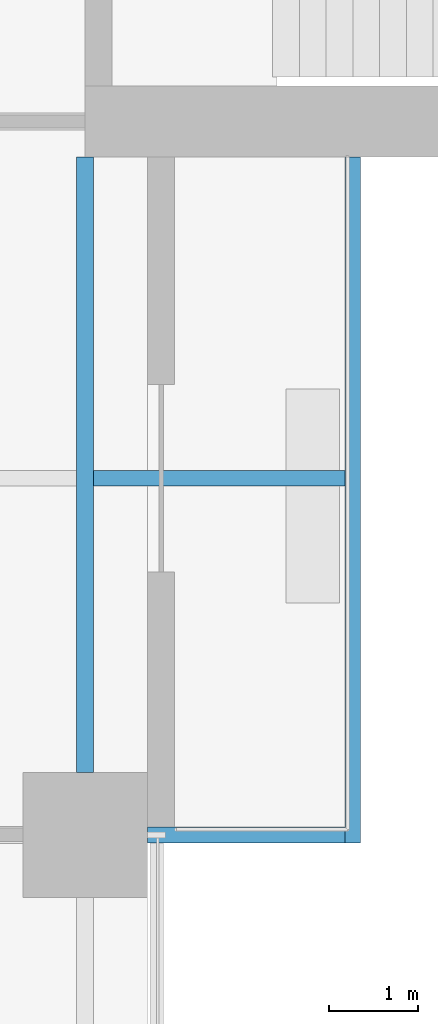
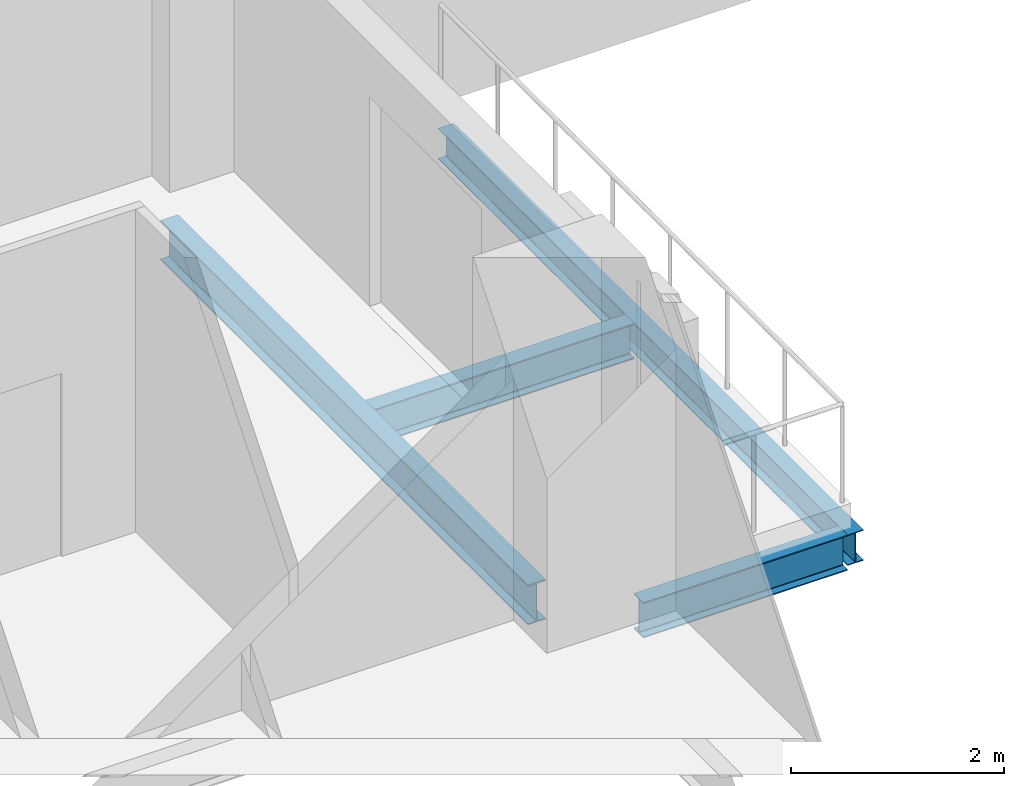
# One storey, part 5 of 29: 4 beams.
"""IFC4 building model written with IfcOpenShell, lengths in metres."""

from ifc_helpers import new_model, si_unit, direction, frame, origin, origin_2d, place, context, subcontext, project, spatial, i_section, extrude, material, material_profile, profile_set, type_object, element, save


model = new_model("IFC4")

# Units and contexts
model_context = context("Model", 3, precision=1e-05, world=origin(), true_north=direction((0.0, 1.0)))
body_context = subcontext(model_context, "Body", "Model", "MODEL_VIEW")
ifc_project = project(units=[si_unit("LENGTHUNIT", "METRE"), si_unit("AREAUNIT", "SQUARE_METRE"), si_unit("VOLUMEUNIT", "CUBIC_METRE"), si_unit("PLANEANGLEUNIT", "RADIAN"), si_unit("MASSUNIT", "GRAM", prefix="KILO")], contexts=[model_context])

# Site, building, storey
site_placement = place(None, origin())
site = spatial("IfcSite", under=ifc_project, at=site_placement, CompositionType="ELEMENT")
building_placement = place(site_placement, origin())
building = spatial("IfcBuilding", under=site, at=building_placement, Name="Crosswind Convention Tower", CompositionType="ELEMENT")
storey_placement = place(building_placement, frame((0.0, 0.0, 53.5)))
storey = spatial("IfcBuildingStorey", under=building, at=storey_placement, Name="L07", CompositionType="ELEMENT", Elevation=53.5)

# Beams
ifc_material = material(Name="Steel S355", Category="steel")
ifc_material_profile_1 = material_profile(ifc_material, i_section(OverallWidth=0.177734375, OverallDepth=0.406494140625, WebThickness=0.0078125, FlangeThickness=0.0126953125, FilletRadius=0.01025390625, at=origin_2d()), Name="UB 406x178x60")
ifc_profile_set_1 = profile_set([ifc_material_profile_1], Name="Steel S355")
beam_type_1 = type_object("IfcBeamType", Name="Balcony cantilever UB 406x178x60", PredefinedType="BEAM", material=ifc_profile_set_1)
beam_1_placement = place(storey_placement, frame((137.09521484375, 84.0, -0.483154296875), z_axis=(1.0, 0.0, 0.0), x_axis=(0.0, 1.0, 0.0)))
element("IfcBeam", 1, at=beam_1_placement, inside=storey, type_object=beam_type_1, Name="B35 L07 balcony cantilever SE 10", PredefinedType="BEAM", context=body_context, shape_type="SweptSolid", body=[
    extrude(i_section(OverallWidth=0.177734375, OverallDepth=0.406494140625, WebThickness=0.0078125, FlangeThickness=0.0126953125, FilletRadius=0.01025390625, at=origin_2d()), origin(), (0.0, 0.0, 1.0), 2.8193359375),
])
beam_2_placement = place(storey_placement, frame((137.699951171875, 80.0, -0.483154296875), z_axis=(1.0, 0.0, 0.0), x_axis=(0.0, 1.0, 0.0)))
element("IfcBeam", 2, at=beam_2_placement, inside=storey, type_object=beam_type_1, Name="B35 L07 balcony cantilever SE 11", PredefinedType="BEAM", context=body_context, shape_type="SweptSolid", body=[
    extrude(i_section(OverallWidth=0.177734375, OverallDepth=0.406494140625, WebThickness=0.0078125, FlangeThickness=0.0126953125, FilletRadius=0.01025390625, at=origin_2d()), origin(), (0.0, 0.0, 1.0), 2.214599609375),
])
ifc_material_profile_2 = material_profile(ifc_material, i_section(OverallWidth=0.1708984375, OverallDepth=0.35205078125, WebThickness=0.0068359375, FlangeThickness=0.009765625, FilletRadius=0.01025390625, at=origin_2d()), Name="UB 356x171x45")
ifc_profile_set_2 = profile_set([ifc_material_profile_2], Name="Steel S355")
beam_type_2 = type_object("IfcBeamType", Name="Balcony edge beam UB 356x171x45", PredefinedType="BEAM", material=ifc_profile_set_2)
beam_3_placement = place(storey_placement, frame((140.0, 87.60009765625, -0.4560546875), z_axis=(0.0, -1.0, 0.0), x_axis=(1.0, 0.0, 0.0)))
element("IfcBeam", 3, at=beam_3_placement, inside=storey, type_object=beam_type_2, Name="B37 L07 balcony edge beam SE 12", PredefinedType="BEAM", context=body_context, shape_type="SweptSolid", body=[
    extrude(i_section(OverallWidth=0.1708984375, OverallDepth=0.35205078125, WebThickness=0.0068359375, FlangeThickness=0.009765625, FilletRadius=0.01025390625, at=origin_2d()), origin(), (0.0, 0.0, 1.0), 7.68896484375),
])
ifc_material_profile_3 = material_profile(ifc_material, i_section(OverallWidth=0.1904296875, OverallDepth=0.457275390625, WebThickness=0.009033203125, FlangeThickness=0.014404296875, FilletRadius=0.01025390625, at=origin_2d()), Name="UB 457x191x75")
ifc_profile_set_3 = profile_set([ifc_material_profile_3], Name="Steel S355")
beam_type_3 = type_object("IfcBeamType", Name="Edge beam UB 457x191x75", PredefinedType="SPANDREL", material=ifc_profile_set_3)
beam_4_placement = place(storey_placement, frame((137.0, 80.699951171875, -0.508544921875), z_axis=(0.0, 1.0, 0.0), x_axis=(-1.0, 0.0, 0.0)))
element("IfcBeam", 4, at=beam_4_placement, inside=storey, type_object=beam_type_3, Name="B17 L07 edge beam 20", PredefinedType="SPANDREL", context=body_context, shape_type="SweptSolid", body=[
    extrude(i_section(OverallWidth=0.1904296875, OverallDepth=0.457275390625, WebThickness=0.009033203125, FlangeThickness=0.014404296875, FilletRadius=0.01025390625, at=origin_2d()), origin(), (0.0, 0.0, 1.0), 6.900146484375),
])

save(model, "model.ifc")
